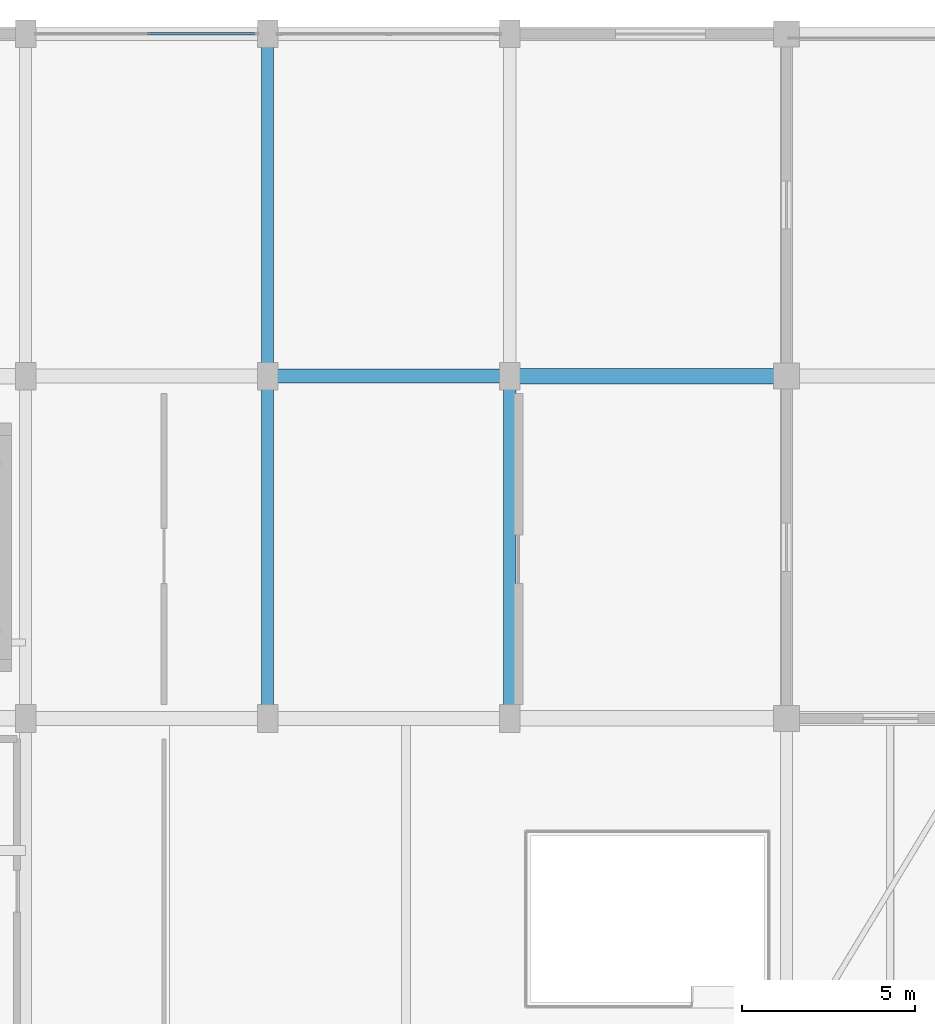
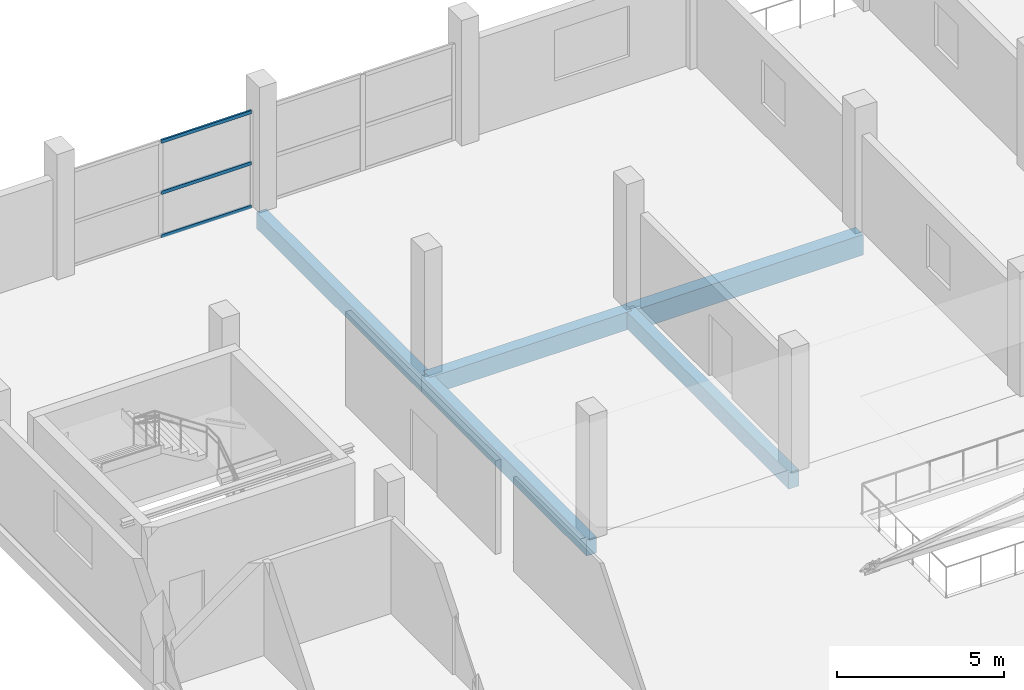
# One storey, part 32 of 55: 5 beams, 3 members, 1 element without a shape of its own.
"""IFC4 building model written with IfcOpenShell, lengths in metres."""

from ifc_helpers import new_model, si_unit, direction, frame, origin, origin_2d, place, context, subcontext, project, spatial, rectangle, hollow_rectangle, extrude, material, layer, layer_set, material_profile, profile_set, type_object, element, aggregate, save


model = new_model("IFC4")

# Units and contexts
model_context = context("Model", 3, precision=1e-05, world=origin(), true_north=direction((0.0, 1.0)))
body_context = subcontext(model_context, "Body", "Model", "MODEL_VIEW")
ifc_project = project(units=[si_unit("LENGTHUNIT", "METRE"), si_unit("AREAUNIT", "SQUARE_METRE"), si_unit("VOLUMEUNIT", "CUBIC_METRE"), si_unit("PLANEANGLEUNIT", "RADIAN"), si_unit("MASSUNIT", "GRAM", prefix="KILO")], contexts=[model_context])

# Site, building, storey
site_placement = place(None, origin())
site = spatial("IfcSite", under=ifc_project, at=site_placement, CompositionType="ELEMENT")
building_placement = place(site_placement, origin())
building = spatial("IfcBuilding", under=site, at=building_placement, Name="Sillaruma Civic Art Gallery", CompositionType="ELEMENT")
storey_placement = place(building_placement, frame((0.0, 0.0, 37.739990234375)))
storey = spatial("IfcBuildingStorey", under=building, at=storey_placement, Name="L07", CompositionType="ELEMENT", Elevation=37.739990234375)

# Beams
ifc_material_1 = material(Name="Concrete H35 (35 MPa)", Category="concrete")
ifc_material_profile_1 = material_profile(ifc_material_1, rectangle(XDim=0.35009765625, YDim=0.60009765625, at=origin_2d()), Name="RCB350x600")
ifc_profile_set_1 = profile_set([ifc_material_profile_1], Name="Concrete H35 (35 MPa)")
beam_type_1 = type_object("IfcBeamType", Name="BM-BEAM-RCB350x600", PredefinedType="BEAM", material=ifc_profile_set_1)
beam_1_placement = place(storey_placement, frame((77.0, 79.199951171875, -0.5400390625), z_axis=(0.0, 1.0, 0.0), x_axis=(-1.0, 0.0, 0.0)))
element("IfcBeam", 1, at=beam_1_placement, inside=storey, type_object=beam_type_1, Name="Beam BM-06 (L06:H:9-10)", PredefinedType="BEAM", context=body_context, shape_type="SweptSolid", body=[
    extrude(rectangle(XDim=0.35009765625, YDim=0.60009765625, at=origin_2d()), origin(), (0.0, 0.0, 1.0), 9.900146484375),
])
beam_2_placement = place(storey_placement, frame((77.0, 89.10009765625, -0.5400390625), z_axis=(0.0, 1.0, 0.0), x_axis=(-1.0, 0.0, 0.0)))
element("IfcBeam", 2, at=beam_2_placement, inside=storey, type_object=beam_type_1, Name="Beam BM-06 (L06:H:10-11)", PredefinedType="BEAM", context=body_context, shape_type="SweptSolid", body=[
    extrude(rectangle(XDim=0.35009765625, YDim=0.60009765625, at=origin_2d()), origin(), (0.0, 0.0, 1.0), 9.89990234375),
])
beam_3_placement = place(storey_placement, frame((84.0, 79.199951171875, -0.5400390625), z_axis=(0.0, 1.0, 0.0), x_axis=(-1.0, 0.0, 0.0)))
element("IfcBeam", 3, at=beam_3_placement, inside=storey, type_object=beam_type_1, Name="Beam BM-06 (L06:J:9-10)", PredefinedType="BEAM", context=body_context, shape_type="SweptSolid", body=[
    extrude(rectangle(XDim=0.35009765625, YDim=0.60009765625, at=origin_2d()), origin(), (0.0, 0.0, 1.0), 9.900146484375),
])
ifc_material_profile_2 = material_profile(ifc_material_1, rectangle(XDim=0.39990234375, YDim=0.64990234375, at=origin_2d()), Name="RCB400x650")
ifc_profile_set_2 = profile_set([ifc_material_profile_2], Name="Concrete H35 (35 MPa)")
beam_type_2 = type_object("IfcBeamType", Name="BM-BEAM-RCB400x650", PredefinedType="BEAM", material=ifc_profile_set_2)
beam_4_placement = place(storey_placement, frame((77.0, 89.10009765625, -0.56494140625), z_axis=(1.0, 0.0, 0.0), x_axis=(0.0, 1.0, 0.0)))
element("IfcBeam", 4, at=beam_4_placement, inside=storey, type_object=beam_type_2, Name="Beam BM-05 (L06:10:H-J)", PredefinedType="BEAM", context=body_context, shape_type="SweptSolid", body=[
    extrude(rectangle(XDim=0.39990234375, YDim=0.64990234375, at=origin_2d()), origin(), (0.0, 0.0, 1.0), 7.0),
])
ifc_material_2 = material(Name="Concrete H40 (40 MPa)", Category="concrete")
ifc_material_profile_3 = material_profile(ifc_material_2, rectangle(XDim=0.449951171875, YDim=0.75, at=origin_2d()), Name="RCB450x750")
ifc_profile_set_3 = profile_set([ifc_material_profile_3], Name="Concrete H40 (40 MPa)")
beam_type_3 = type_object("IfcBeamType", Name="BM-BEAM-RCB450x750", PredefinedType="BEAM", material=ifc_profile_set_3)
beam_5_placement = place(storey_placement, frame((84.0, 89.10009765625, -0.614990234375), z_axis=(1.0, 0.0, 0.0), x_axis=(0.0, 1.0, 0.0)))
element("IfcBeam", 5, at=beam_5_placement, inside=storey, type_object=beam_type_3, Name="Beam BM-03 (L06:10:J-K)", PredefinedType="BEAM", context=body_context, shape_type="SweptSolid", body=[
    extrude(rectangle(XDim=0.449951171875, YDim=0.75, at=origin_2d()), origin(), (0.0, 0.0, 1.0), 8.0),
])

# Curtain wall, members
ifc_material_3 = material(Name="Thermally Broken Extruded Aluminium 6063-T6", Category="aluminium")
ifc_layer = layer(ifc_material_3, 0.139892578125, Name="Thermally Broken Extruded Aluminium 6063-T6")
ifc_layer_set = layer_set([ifc_layer], Name="Thermally Broken Extruded Aluminium 6063-T6")
curtain_wall_type = type_object("IfcCurtainWallType", Name="CW-UNI-50", PredefinedType="NOTDEFINED", material=ifc_layer_set)
curtain_wall_placement = place(storey_placement, origin())
curtain_wall = element("IfcCurtainWall", 6, at=curtain_wall_placement, inside=storey, type_object=curtain_wall_type, Name="Unitised Curtain Wall CW-50 (CW-L07-N-2)", PredefinedType="NOTDEFINED")
ifc_material_profile_4 = material_profile(ifc_material_3, hollow_rectangle(XDim=0.06494140625, YDim=0.1201171875, WallThickness=0.00341796875, at=origin_2d()), Name="CWT65x120")
ifc_profile_set_4 = profile_set([ifc_material_profile_4], Name="Thermally Broken Extruded Aluminium 6063-T6")
member_type = type_object("IfcMemberType", Name="MEM-TRN-CWT65x120", PredefinedType="USERDEFINED", material=ifc_profile_set_4)
member_1_placement = place(storey_placement, frame((73.530029296875, 99.0, 0.032470703125), z_axis=(1.0, 0.0, 0.0), x_axis=(0.0, 1.0, 0.0)))
member_1 = element("IfcMember", 7, at=member_1_placement, type_object=member_type, Name="CW-50 transom 2.1", ObjectType="TRANSOM", PredefinedType="USERDEFINED", context=body_context, shape_type="SweptSolid", body=[
    extrude(hollow_rectangle(XDim=0.06494140625, YDim=0.1201171875, WallThickness=0.00341796875, at=origin_2d()), origin(), (0.0, 0.0, 1.0), 3.10986328125),
])
member_2_placement = place(storey_placement, frame((73.530029296875, 99.0, 1.623779296875), z_axis=(1.0, 0.0, 0.0), x_axis=(0.0, 1.0, 0.0)))
member_2 = element("IfcMember", 8, at=member_2_placement, type_object=member_type, Name="CW-50 transom 2.2", ObjectType="TRANSOM", PredefinedType="USERDEFINED", context=body_context, shape_type="SweptSolid", body=[
    extrude(hollow_rectangle(XDim=0.06494140625, YDim=0.1201171875, WallThickness=0.00341796875, at=origin_2d()), origin(), (0.0, 0.0, 1.0), 3.10986328125),
])
member_3_placement = place(storey_placement, frame((73.530029296875, 99.0, 3.49755859375), z_axis=(1.0, 0.0, 0.0), x_axis=(0.0, 1.0, 0.0)))
member_3 = element("IfcMember", 9, at=member_3_placement, type_object=member_type, Name="CW-50 transom 2.3", ObjectType="TRANSOM", PredefinedType="USERDEFINED", context=body_context, shape_type="SweptSolid", body=[
    extrude(hollow_rectangle(XDim=0.06494140625, YDim=0.1201171875, WallThickness=0.00341796875, at=origin_2d()), origin(), (0.0, 0.0, 1.0), 3.10986328125),
])
aggregate(curtain_wall, [member_1, member_2, member_3])

save(model, "model.ifc")
